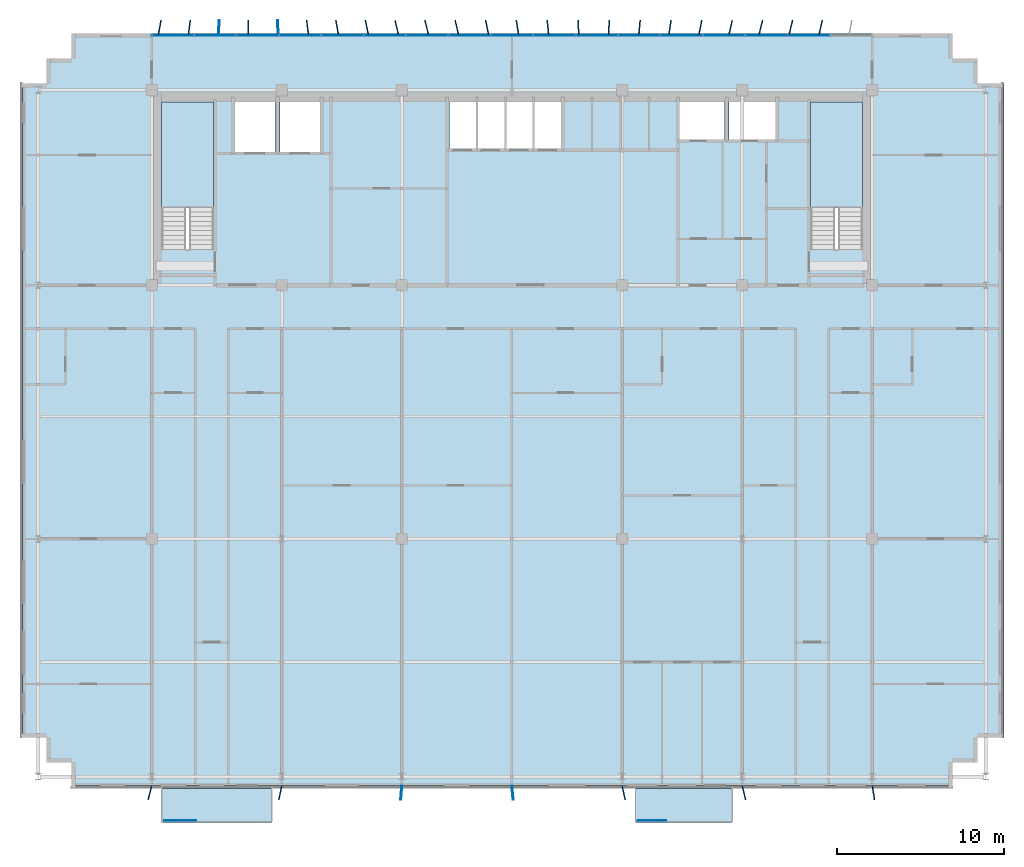
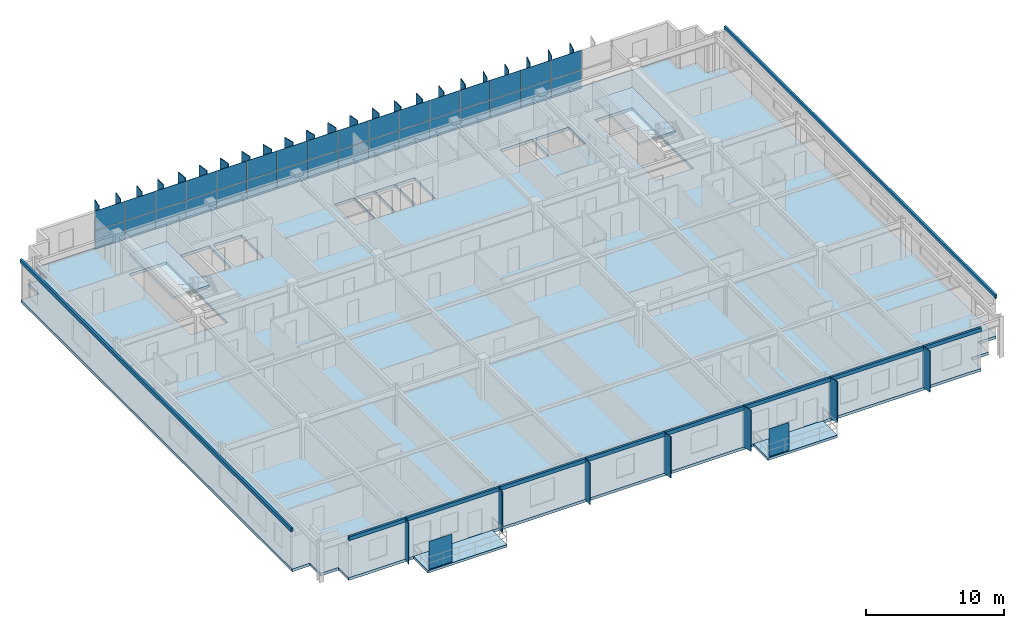
# One storey, part 13 of 20: 67 plates, 5 slabs, 3 elements without a shape of their own.
"""IFC4 building model written with IfcOpenShell, lengths in metres."""

from ifc_helpers import new_model, si_unit, direction, frame, origin, origin_2d, place, context, subcontext, project, spatial, polyline, rectangle, outline, extrude, source, transform, mapped, material, layer, layer_set, type_object, element, aggregate, save


model = new_model("IFC4")

# Units and contexts
model_context = context("Model", 3, precision=1e-05, world=origin(), true_north=direction((0.0, 1.0)))
body_context = subcontext(model_context, "Body", "Model", "MODEL_VIEW")
ifc_project = project(units=[si_unit("LENGTHUNIT", "METRE"), si_unit("AREAUNIT", "SQUARE_METRE"), si_unit("VOLUMEUNIT", "CUBIC_METRE"), si_unit("PLANEANGLEUNIT", "RADIAN"), si_unit("MASSUNIT", "GRAM", prefix="KILO")], contexts=[model_context])

# Site, building, storey
site_placement = place(None, origin())
site = spatial("IfcSite", under=ifc_project, at=site_placement, CompositionType="ELEMENT")
building_placement = place(site_placement, origin())
building = spatial("IfcBuilding", under=site, at=building_placement, Name="Trelvane Seafront Commons", CompositionType="ELEMENT")
storey_placement = place(building_placement, frame((0.0, 0.0, 168.10009765625)))
storey = spatial("IfcBuildingStorey", under=building, at=storey_placement, Name="L44", CompositionType="ELEMENT", Elevation=168.10009765625)

# Slabs
ifc_material_1 = material(Name="Concrete C40/50", Category="concrete")
ifc_layer_1 = layer(ifc_material_1, 0.219970703125, Name="ARCH-BALC-220")
ifc_layer_set_1 = layer_set([ifc_layer_1], Name="Concrete C40/50")
slab_type_1 = type_object("IfcSlabType", Name="ARCH-BALC-220", PredefinedType="FLOOR", material=ifc_layer_set_1)
slab_1_placement = place(storey_placement, frame((0.0, 0.0, -0.22021484375)))
element("IfcSlab", 1, at=slab_1_placement, inside=storey, type_object=slab_type_1, Name="L44 Cantilevered Tree Balcony Loggia 1", PredefinedType="FLOOR", context=body_context, shape_type="SweptSolid", body=[
    extrude(outline(polyline([(16.199951171875, 1.199951171875), (22.800048828125, 1.199951171875), (22.800048828125, 3.300048828125), (16.199951171875, 3.300048828125), (16.199951171875, 1.199951171875)])), origin(), (0.0, 0.0, 1.0), 0.22021484375),
])
slab_2_placement = place(storey_placement, frame((0.0, 0.0, -0.22021484375)))
element("IfcSlab", 2, at=slab_2_placement, inside=storey, type_object=slab_type_1, Name="L44 Cantilevered Tree Balcony Loggia 2", PredefinedType="FLOOR", context=body_context, shape_type="SweptSolid", body=[
    extrude(outline(polyline([(44.60009765625, 1.199951171875), (50.39990234375, 1.199951171875), (50.39990234375, 3.300048828125), (44.60009765625, 3.300048828125), (44.60009765625, 1.199951171875)])), origin(), (0.0, 0.0, 1.0), 0.22021484375),
])

# Stair, slab
stair_type_1 = type_object("IfcStairType", Name="ARCH-STR-ST-1-R20-180", PredefinedType="HALF_TURN_STAIR", material=ifc_material_1)
stair_1_placement = place(storey_placement, origin())
stair_1 = element("IfcStair", 3, at=stair_1_placement, inside=storey, type_object=stair_type_1, Name="L44 West Protected Firefighting Exit Stair ST-1", PredefinedType="HALF_TURN_STAIR")
ifc_layer_2 = layer(ifc_material_1, 0.199951171875, Name="ARCH-LND-200")
ifc_layer_set_2 = layer_set([ifc_layer_2], Name="Concrete C40/50")
slab_type_2 = type_object("IfcSlabType", Name="ARCH-LND-200", PredefinedType="LANDING", material=ifc_layer_set_2)
slab_3_placement = place(storey_placement, frame((0.0, 0.0, 1.599853515625)))
slab_3 = element("IfcSlab", 4, at=slab_3_placement, type_object=slab_type_2, Name="ST-1 landing 1", PredefinedType="LANDING", context=body_context, shape_type="SweptSolid", body=[
    extrude(outline(polyline([(19.300048828125, 38.070068359375), (19.300048828125, 44.39990234375), (16.199951171875, 44.39990234375), (16.199951171875, 38.070068359375), (19.300048828125, 38.070068359375)])), origin(), (0.0, 0.0, 1.0), 0.199951171875),
])
aggregate(stair_1, [slab_3])

stair_type_2 = type_object("IfcStairType", Name="ARCH-STR-ST-2-R20-180", PredefinedType="HALF_TURN_STAIR", material=ifc_material_1)
stair_2_placement = place(storey_placement, origin())
stair_2 = element("IfcStair", 5, at=stair_2_placement, inside=storey, type_object=stair_type_2, Name="L44 East Protected Firefighting Exit Stair ST-2", PredefinedType="HALF_TURN_STAIR")
slab_4_placement = place(storey_placement, frame((0.0, 0.0, 1.599853515625)))
slab_4 = element("IfcSlab", 6, at=slab_4_placement, type_object=slab_type_2, Name="ST-2 landing 1", PredefinedType="LANDING", context=body_context, shape_type="SweptSolid", body=[
    extrude(outline(polyline([(58.199951171875, 38.070068359375), (58.199951171875, 44.39990234375), (55.10009765625, 44.39990234375), (55.10009765625, 38.070068359375), (58.199951171875, 38.070068359375)])), origin(), (0.0, 0.0, 1.0), 0.199951171875),
])
aggregate(stair_2, [slab_4])

# Slab
ifc_material_2 = material(Name="Concrete C50/60", Category="concrete")
ifc_layer_3 = layer(ifc_material_2, 0.25, Name="STR-SLB-Z3-250")
ifc_layer_set_3 = layer_set([ifc_layer_3], Name="Concrete C50/60")
slab_type_3 = type_object("IfcSlabType", Name="STR-SLB-Z3-250", PredefinedType="FLOOR", material=ifc_layer_set_3)
slab_5_placement = place(storey_placement, frame((0.0, 0.0, -0.25)))
element("IfcSlab", 7, at=slab_5_placement, inside=storey, type_object=slab_type_3, Name="L44 Structural Floor Slab", PredefinedType="FLOOR", context=body_context, shape_type="SweptSolid", body=[
    extrude(outline(polyline([(10.800048828125, 3.300048828125), (63.60009765625, 3.300048828125), (63.60009765625, 4.800048828125), (65.10009765625, 4.800048828125), (65.10009765625, 6.300048828125), (66.60009765625, 6.300048828125), (66.60009765625, 45.5), (65.10009765625, 45.5), (65.10009765625, 47.0), (63.60009765625, 47.0), (63.60009765625, 48.5), (10.800048828125, 48.5), (10.800048828125, 47.0), (9.300048828125, 47.0), (9.300048828125, 45.5), (7.800048828125, 45.5), (7.800048828125, 6.300048828125), (9.300048828125, 6.300048828125), (9.300048828125, 4.800048828125), (10.800048828125, 4.800048828125), (10.800048828125, 3.300048828125)]), holes=[polyline([(19.300048828125, 35.550048828125), (16.199951171875, 35.550048828125), (16.199951171875, 44.39990234375), (19.300048828125, 44.39990234375), (19.300048828125, 35.550048828125)]), polyline([(58.199951171875, 35.550048828125), (55.10009765625, 35.550048828125), (55.10009765625, 44.39990234375), (58.199951171875, 44.39990234375), (58.199951171875, 35.550048828125)]), polyline([(23.0, 41.39990234375), (20.60009765625, 41.39990234375), (20.60009765625, 44.60009765625), (23.0, 44.60009765625), (23.0, 41.39990234375)]), polyline([(23.300048828125, 41.39990234375), (23.300048828125, 44.60009765625), (25.699951171875, 44.60009765625), (25.699951171875, 41.39990234375), (23.300048828125, 41.39990234375)]), polyline([(33.449951171875, 41.60009765625), (33.449951171875, 44.60009765625), (35.070068359375, 44.60009765625), (35.070068359375, 41.60009765625), (33.449951171875, 41.60009765625)]), polyline([(36.77001953125, 41.60009765625), (35.14990234375, 41.60009765625), (35.14990234375, 44.60009765625), (36.77001953125, 44.60009765625), (36.77001953125, 41.60009765625)]), polyline([(38.469970703125, 41.60009765625), (36.85009765625, 41.60009765625), (36.85009765625, 44.60009765625), (38.469970703125, 44.60009765625), (38.469970703125, 41.60009765625)]), polyline([(40.169921875, 41.60009765625), (38.550048828125, 41.60009765625), (38.550048828125, 44.60009765625), (40.169921875, 44.60009765625), (40.169921875, 41.60009765625)]), polyline([(47.25, 42.14990234375), (47.25, 44.550048828125), (49.949951171875, 44.550048828125), (49.949951171875, 42.14990234375), (47.25, 42.14990234375)]), polyline([(50.199951171875, 42.14990234375), (50.199951171875, 44.550048828125), (53.0, 44.550048828125), (53.0, 42.14990234375), (50.199951171875, 42.14990234375)])]), origin(), (0.0, 0.0, 1.0), 0.25),
])

# Plates
ifc_material_3 = material(Name="Perforated anodised aluminium screen", Category="aluminium")
ifc_layer_4 = layer(ifc_material_3, 0.01611328125, Name="ARCH-PLATE-SCREEN")
ifc_layer_set_4 = layer_set([ifc_layer_4], Name="Perforated anodised aluminium screen")
plate_type_1 = type_object("IfcPlateType", Name="ARCH-PLATE-SCREEN", PredefinedType="USERDEFINED", material=ifc_layer_set_4)
shared_shape_1 = source(origin(), body_context, "Body", "SweptSolid", [
    extrude(rectangle(XDim=1.9140625, YDim=0.01611328125, at=origin_2d()), origin(), (0.0, 0.0, 1.0), 2.449951171875),
])
plate_1_placement = place(storey_placement, frame((17.306884765625, 1.320068359375, 0.0), z_axis=(0.0, 0.0, 1.0), x_axis=(1.0, 0.0, 0.0)))
element("IfcPlate", 8, at=plate_1_placement, inside=storey, type_object=plate_type_1, Name="SCR-L44-00160", ObjectType="SCREEN", PredefinedType="USERDEFINED", context=body_context, shape_type="MappedRepresentation", body=[
    mapped(shared_shape_1, transform((0.0, 0.0, 0.0), x_axis=(1.0, 0.0, 0.0), y_axis=(0.0, 1.0, 0.0), z_axis=(0.0, 0.0, 1.0), scale=1.0)),
])
shared_shape_2 = source(origin(), body_context, "Body", "SweptSolid", [
    extrude(rectangle(XDim=1.681884765625, YDim=0.01611328125, at=origin_2d()), origin(), (0.0, 0.0, 1.0), 2.449951171875),
])
plate_2_placement = place(storey_placement, frame((45.591064453125, 1.320068359375, 0.0), z_axis=(0.0, 0.0, 1.0), x_axis=(1.0, 0.0, 0.0)))
element("IfcPlate", 9, at=plate_2_placement, inside=storey, type_object=plate_type_1, Name="SCR-L44-00161", ObjectType="SCREEN", PredefinedType="USERDEFINED", context=body_context, shape_type="MappedRepresentation", body=[
    mapped(shared_shape_2, transform((0.0, 0.0, 0.0), x_axis=(1.0, 0.0, 0.0), y_axis=(0.0, 1.0, 0.0), z_axis=(0.0, 0.0, 1.0), scale=1.0)),
])
ifc_material_4 = material(Name="Anodised pale-silver aluminium", Category="aluminium")
ifc_layer_5 = layer(ifc_material_4, 0.06005859375, Name="ARCH-PLATE-FIN900")
ifc_layer_set_5 = layer_set([ifc_layer_5], Name="Anodised pale-silver aluminium")
plate_type_2 = type_object("IfcPlateType", Name="ARCH-PLATE-FIN900", PredefinedType="USERDEFINED", material=ifc_layer_set_5)
shared_shape_3 = source(origin(), body_context, "Body", "SweptSolid", [
    extrude(rectangle(XDim=0.89990234375, YDim=0.06005859375, at=origin_2d()), origin(), (0.0, 0.0, 1.0), 3.639892578125),
])
for number, where, z_axis, x_axis, name in (
    (10, (16.081787109375, 48.842529296875, -0.02001953125), (0.0, 0.0, 1.0), (0.181670897411, 0.983359387525, 0.0), "FIN-L44-01216"),
    (11, (17.859375, 48.845947265625, -0.02001953125), (0.0, 0.0, 1.0), (0.131785816058, 0.991278214572, 0.0), "FIN-L44-01217"),
    (12, (19.63232421875, 48.848876953125, -0.02001953125), (0.0, 0.0, 1.0), (0.071775979553, 0.997420778187, 0.0), "FIN-L44-01218"),
    (13, (21.402587890625, 48.85009765625, -0.02001953125), (0.0, 0.0, 1.0), (0.006110359687, 0.999981331578, 0.0), "FIN-L44-01219"),
    (14, (23.173095703125, 48.84912109375, -0.02001953125), (0.0, 0.0, 1.0), (-0.059888277362, 0.99820508626, 0.0), "FIN-L44-01220"),
    (15, (24.9453125, 48.8466796875, -0.02001953125), (0.0, 0.0, 1.0), (-0.121340968614, 0.992610885159, 0.0), "FIN-L44-01221"),
    (16, (26.721923828125, 48.84326171875, -0.02001953125), (0.0, 0.0, 1.0), (-0.173436759572, 0.984845008328, 0.0), "FIN-L44-01222"),
    (17, (28.50439453125, 48.839599609375, -0.02001953125), (0.0, 0.0, 1.0), (-0.212433503388, 0.977175524989, 0.0), "FIN-L44-01223"),
    (18, (30.2939453125, 48.83740234375, -0.02001953125), (0.0, 0.0, 1.0), (-0.235654390789, 0.971836924644, 0.0), "FIN-L44-01224"),
    (19, (32.09130859375, 48.836669921875, -0.02001953125), (0.0, 0.0, 1.0), (-0.24167294527, 0.970357762645, 0.0), "FIN-L44-01225"),
    (20, (33.896484375, 48.837890625, -0.02001953125), (0.0, 0.0, 1.0), (-0.230122772795, 0.973161604997, 0.0), "FIN-L44-01226"),
    (21, (35.709228515625, 48.8408203125, -0.02001953125), (0.0, 0.0, 1.0), (-0.201669434189, 0.97945364327, 0.0), "FIN-L44-01227"),
    (22, (37.52880859375, 48.84423828125, -0.02001953125), (0.0, 0.0, 1.0), (-0.158216661291, 0.987404419724, 0.0), "FIN-L44-01228"),
    (23, (39.353759765625, 48.84765625, -0.02001953125), (0.0, 0.0, 1.0), (-0.102782120278, 0.994703893504, 0.0), "FIN-L44-01229"),
    (24, (41.182373046875, 48.849609375, -0.02001953125), (0.0, 0.0, 1.0), (-0.039333062968, 0.999226155661, 0.0), "FIN-L44-01230"),
    (25, (43.01220703125, 48.849853515625, -0.02001953125), (0.0, 0.0, 1.0), (0.027110367937, 0.999632446427, 0.0), "FIN-L44-01231"),
    (26, (44.84130859375, 48.84814453125, -0.02001953125), (0.0, 0.0, 1.0), (0.09155723476, 0.995799815607, 0.0), "FIN-L44-01232"),
    (27, (46.6669921875, 48.844970703125, -0.02001953125), (0.0, 0.0, 1.0), (0.148774263128, 0.988871184043, 0.0), "FIN-L44-01233"),
    (28, (48.48779296875, 48.84130859375, -0.02001953125), (0.0, 0.0, 1.0), (0.194770206295, 0.980848901075, 0.0), "FIN-L44-01234"),
    (29, (50.3017578125, 48.83837890625, -0.02001953125), (0.0, 0.0, 1.0), (0.226109001446, 0.974102006704, 0.0), "FIN-L44-01235"),
    (30, (52.1083984375, 48.836669921875, -0.02001953125), (0.0, 0.0, 1.0), (0.240888732524, 0.970552738672, 0.0), "FIN-L44-01236"),
    (31, (53.9072265625, 48.8369140625, -0.02001953125), (0.0, 0.0, 1.0), (0.238114783007, 0.971237020564, 0.0), "FIN-L44-01237"),
    (32, (55.697998046875, 48.839111328125, -0.02001953125), (0.0, 0.0, 1.0), (0.217989942059, 0.975951015759, 0.0), "FIN-L44-01238"),
):
    element("IfcPlate", number, at=place(storey_placement, frame(where, z_axis=z_axis, x_axis=x_axis)), inside=storey, type_object=plate_type_2, Name=name, ObjectType="FIN", PredefinedType="USERDEFINED", context=body_context, shape_type="MappedRepresentation", body=[
        mapped(shared_shape_3, transform((0.0, 0.0, 0.0), x_axis=(1.0, 0.0, 0.0), y_axis=(0.0, 1.0, 0.0), z_axis=(0.0, 0.0, 1.0), scale=1.0)),
    ])
shared_shape_4 = source(origin(), body_context, "Body", "SweptSolid", [
    extrude(rectangle(XDim=0.85009765625, YDim=0.06005859375, at=origin_2d()), origin(), (0.0, 0.0, 1.0), 3.639892578125),
])
for number, where, z_axis, x_axis, name in (
    (33, (15.498291015625, 2.9873046875, -0.02001953125), (0.0, 0.0, 1.0), (-0.239406259872, -0.970919483137, 0.0), "FIN-S-L44-01240"),
    (34, (23.3125, 2.984130859375, -0.02001953125), (0.0, 0.0, 1.0), (-0.206129040693, -0.978524817561, 0.0), "FIN-S-L44-01241"),
    (35, (30.56787109375, 2.976318359375, -0.02001953125), (0.0, 0.0, 1.0), (-0.07576015068, -0.997126070048, 0.0), "FIN-S-L44-01242"),
    (36, (37.239013671875, 2.976806640625, -0.02001953125), (0.0, 0.0, 1.0), (0.091532902753, -0.995802052475, 0.0), "FIN-S-L44-01243"),
    (37, (43.89111328125, 2.98486328125, -0.02001953125), (0.0, 0.0, 1.0), (0.214363705629, -0.976753910516, 0.0), "FIN-S-L44-01244"),
    (38, (51.1005859375, 2.987060546875, -0.02001953125), (0.0, 0.0, 1.0), (0.236468472196, -0.97163916227, 0.0), "FIN-S-L44-01245"),
    (39, (58.86328125, 2.979736328125, -0.02001953125), (0.0, 0.0, 1.0), (0.148713856147, -0.988880270301, 0.0), "FIN-S-L44-01246"),
):
    element("IfcPlate", number, at=place(storey_placement, frame(where, z_axis=z_axis, x_axis=x_axis)), inside=storey, type_object=plate_type_2, Name=name, ObjectType="FIN", PredefinedType="USERDEFINED", context=body_context, shape_type="MappedRepresentation", body=[
        mapped(shared_shape_4, transform((0.0, 0.0, 0.0), x_axis=(1.0, 0.0, 0.0), y_axis=(0.0, 1.0, 0.0), z_axis=(0.0, 0.0, 1.0), scale=1.0)),
    ])

# Curtain wall, plates
curtain_wall_type = type_object("IfcCurtainWallType", Name="ARCH-CW5-UPTOWER", PredefinedType="NOTDEFINED", material=ifc_material_4)
curtain_wall_placement = place(storey_placement, origin())
curtain_wall = element("IfcCurtainWall", 40, at=curtain_wall_placement, inside=storey, type_object=curtain_wall_type, Name="CW-L44-0071", PredefinedType="NOTDEFINED")
ifc_material_5 = material(Name="Low-E coastal double glazing", Category="glass")
ifc_layer_6 = layer(ifc_material_5, 0.033935546875, Name="ARCH-CW-GLAZ-34")
ifc_layer_set_6 = layer_set([ifc_layer_6], Name="Low-E coastal double glazing")
plate_type_3 = type_object("IfcPlateType", Name="ARCH-CW-GLAZ-34", PredefinedType="CURTAIN_PANEL", material=ifc_layer_set_6)
shared_shape_5 = source(origin(), body_context, "Body", "SweptSolid", [
    extrude(rectangle(XDim=2.51708984375, YDim=0.033935546875, at=origin_2d()), origin(), (0.0, 0.0, 1.0), 1.590087890625),
])
plate_3_placement = place(storey_placement, frame((16.87060546875, 48.3701171875, 0.0), z_axis=(0.0, 0.0, 1.0), x_axis=(1.0, 0.0, 0.0)))
plate_3 = element("IfcPlate", 41, at=plate_3_placement, type_object=plate_type_3, Name="CW-L44-0071-P00-1", PredefinedType="CURTAIN_PANEL", context=body_context, shape_type="MappedRepresentation", body=[
    mapped(shared_shape_5, transform((0.0, 0.0, 0.0), x_axis=(1.0, 0.0, 0.0), y_axis=(0.0, 1.0, 0.0), z_axis=(0.0, 0.0, 1.0), scale=1.0)),
])
plate_4_placement = place(storey_placement, frame((19.411865234375, 48.3701171875, 0.0), z_axis=(0.0, 0.0, 1.0), x_axis=(1.0, 0.0, 0.0)))
plate_4 = element("IfcPlate", 42, at=plate_4_placement, type_object=plate_type_3, Name="CW-L44-0071-P01-1", PredefinedType="CURTAIN_PANEL", context=body_context, shape_type="MappedRepresentation", body=[
    mapped(shared_shape_5, transform((0.0, 0.0, 0.0), x_axis=(1.0, 0.0, 0.0), y_axis=(0.0, 1.0, 0.0), z_axis=(0.0, 0.0, 1.0), scale=1.0)),
])
plate_5_placement = place(storey_placement, frame((21.952880859375, 48.3701171875, 0.0), z_axis=(0.0, 0.0, 1.0), x_axis=(1.0, 0.0, 0.0)))
plate_5 = element("IfcPlate", 43, at=plate_5_placement, type_object=plate_type_3, Name="CW-L44-0071-P02-1", PredefinedType="CURTAIN_PANEL", context=body_context, shape_type="MappedRepresentation", body=[
    mapped(shared_shape_5, transform((0.0, 0.0, 0.0), x_axis=(1.0, 0.0, 0.0), y_axis=(0.0, 1.0, 0.0), z_axis=(0.0, 0.0, 1.0), scale=1.0)),
])
plate_6_placement = place(storey_placement, frame((24.494140625, 48.3701171875, 0.0), z_axis=(0.0, 0.0, 1.0), x_axis=(1.0, 0.0, 0.0)))
plate_6 = element("IfcPlate", 44, at=plate_6_placement, type_object=plate_type_3, Name="CW-L44-0071-P03-1", PredefinedType="CURTAIN_PANEL", context=body_context, shape_type="MappedRepresentation", body=[
    mapped(shared_shape_5, transform((0.0, 0.0, 0.0), x_axis=(1.0, 0.0, 0.0), y_axis=(0.0, 1.0, 0.0), z_axis=(0.0, 0.0, 1.0), scale=1.0)),
])
plate_7_placement = place(storey_placement, frame((27.035400390625, 48.3701171875, 0.0), z_axis=(0.0, 0.0, 1.0), x_axis=(1.0, 0.0, 0.0)))
plate_7 = element("IfcPlate", 45, at=plate_7_placement, type_object=plate_type_3, Name="CW-L44-0071-P04-1", PredefinedType="CURTAIN_PANEL", context=body_context, shape_type="MappedRepresentation", body=[
    mapped(shared_shape_5, transform((0.0, 0.0, 0.0), x_axis=(1.0, 0.0, 0.0), y_axis=(0.0, 1.0, 0.0), z_axis=(0.0, 0.0, 1.0), scale=1.0)),
])
plate_8_placement = place(storey_placement, frame((29.576416015625, 48.3701171875, 0.0), z_axis=(0.0, 0.0, 1.0), x_axis=(1.0, 0.0, 0.0)))
plate_8 = element("IfcPlate", 46, at=plate_8_placement, type_object=plate_type_3, Name="CW-L44-0071-P05-1", PredefinedType="CURTAIN_PANEL", context=body_context, shape_type="MappedRepresentation", body=[
    mapped(shared_shape_5, transform((0.0, 0.0, 0.0), x_axis=(1.0, 0.0, 0.0), y_axis=(0.0, 1.0, 0.0), z_axis=(0.0, 0.0, 1.0), scale=1.0)),
])
plate_9_placement = place(storey_placement, frame((32.11767578125, 48.3701171875, 0.0), z_axis=(0.0, 0.0, 1.0), x_axis=(1.0, 0.0, 0.0)))
plate_9 = element("IfcPlate", 47, at=plate_9_placement, type_object=plate_type_3, Name="CW-L44-0071-P06-1", PredefinedType="CURTAIN_PANEL", context=body_context, shape_type="MappedRepresentation", body=[
    mapped(shared_shape_5, transform((0.0, 0.0, 0.0), x_axis=(1.0, 0.0, 0.0), y_axis=(0.0, 1.0, 0.0), z_axis=(0.0, 0.0, 1.0), scale=1.0)),
])
plate_10_placement = place(storey_placement, frame((34.65869140625, 48.3701171875, 0.0), z_axis=(0.0, 0.0, 1.0), x_axis=(1.0, 0.0, 0.0)))
plate_10 = element("IfcPlate", 48, at=plate_10_placement, type_object=plate_type_3, Name="CW-L44-0071-P07-1", PredefinedType="CURTAIN_PANEL", context=body_context, shape_type="MappedRepresentation", body=[
    mapped(shared_shape_5, transform((0.0, 0.0, 0.0), x_axis=(1.0, 0.0, 0.0), y_axis=(0.0, 1.0, 0.0), z_axis=(0.0, 0.0, 1.0), scale=1.0)),
])
plate_11_placement = place(storey_placement, frame((37.199951171875, 48.3701171875, 0.0), z_axis=(0.0, 0.0, 1.0), x_axis=(1.0, 0.0, 0.0)))
plate_11 = element("IfcPlate", 49, at=plate_11_placement, type_object=plate_type_3, Name="CW-L44-0071-P08-1", PredefinedType="CURTAIN_PANEL", context=body_context, shape_type="MappedRepresentation", body=[
    mapped(shared_shape_5, transform((0.0, 0.0, 0.0), x_axis=(1.0, 0.0, 0.0), y_axis=(0.0, 1.0, 0.0), z_axis=(0.0, 0.0, 1.0), scale=1.0)),
])
plate_12_placement = place(storey_placement, frame((39.7412109375, 48.3701171875, 0.0), z_axis=(0.0, 0.0, 1.0), x_axis=(1.0, 0.0, 0.0)))
plate_12 = element("IfcPlate", 50, at=plate_12_placement, type_object=plate_type_3, Name="CW-L44-0071-P09-1", PredefinedType="CURTAIN_PANEL", context=body_context, shape_type="MappedRepresentation", body=[
    mapped(shared_shape_5, transform((0.0, 0.0, 0.0), x_axis=(1.0, 0.0, 0.0), y_axis=(0.0, 1.0, 0.0), z_axis=(0.0, 0.0, 1.0), scale=1.0)),
])
plate_13_placement = place(storey_placement, frame((42.282470703125, 48.3701171875, 0.0), z_axis=(0.0, 0.0, 1.0), x_axis=(1.0, 0.0, 0.0)))
plate_13 = element("IfcPlate", 51, at=plate_13_placement, type_object=plate_type_3, Name="CW-L44-0071-P10-1", PredefinedType="CURTAIN_PANEL", context=body_context, shape_type="MappedRepresentation", body=[
    mapped(shared_shape_5, transform((0.0, 0.0, 0.0), x_axis=(1.0, 0.0, 0.0), y_axis=(0.0, 1.0, 0.0), z_axis=(0.0, 0.0, 1.0), scale=1.0)),
])
plate_14_placement = place(storey_placement, frame((44.823486328125, 48.3701171875, 0.0), z_axis=(0.0, 0.0, 1.0), x_axis=(1.0, 0.0, 0.0)))
plate_14 = element("IfcPlate", 52, at=plate_14_placement, type_object=plate_type_3, Name="CW-L44-0071-P11-1", PredefinedType="CURTAIN_PANEL", context=body_context, shape_type="MappedRepresentation", body=[
    mapped(shared_shape_5, transform((0.0, 0.0, 0.0), x_axis=(1.0, 0.0, 0.0), y_axis=(0.0, 1.0, 0.0), z_axis=(0.0, 0.0, 1.0), scale=1.0)),
])
plate_15_placement = place(storey_placement, frame((47.36474609375, 48.3701171875, 0.0), z_axis=(0.0, 0.0, 1.0), x_axis=(1.0, 0.0, 0.0)))
plate_15 = element("IfcPlate", 53, at=plate_15_placement, type_object=plate_type_3, Name="CW-L44-0071-P12-1", PredefinedType="CURTAIN_PANEL", context=body_context, shape_type="MappedRepresentation", body=[
    mapped(shared_shape_5, transform((0.0, 0.0, 0.0), x_axis=(1.0, 0.0, 0.0), y_axis=(0.0, 1.0, 0.0), z_axis=(0.0, 0.0, 1.0), scale=1.0)),
])
plate_16_placement = place(storey_placement, frame((49.906005859375, 48.3701171875, 0.0), z_axis=(0.0, 0.0, 1.0), x_axis=(1.0, 0.0, 0.0)))
plate_16 = element("IfcPlate", 54, at=plate_16_placement, type_object=plate_type_3, Name="CW-L44-0071-P13-1", PredefinedType="CURTAIN_PANEL", context=body_context, shape_type="MappedRepresentation", body=[
    mapped(shared_shape_5, transform((0.0, 0.0, 0.0), x_axis=(1.0, 0.0, 0.0), y_axis=(0.0, 1.0, 0.0), z_axis=(0.0, 0.0, 1.0), scale=1.0)),
])
plate_17_placement = place(storey_placement, frame((52.447021484375, 48.3701171875, 0.0), z_axis=(0.0, 0.0, 1.0), x_axis=(1.0, 0.0, 0.0)))
plate_17 = element("IfcPlate", 55, at=plate_17_placement, type_object=plate_type_3, Name="CW-L44-0071-P14-1", PredefinedType="CURTAIN_PANEL", context=body_context, shape_type="MappedRepresentation", body=[
    mapped(shared_shape_5, transform((0.0, 0.0, 0.0), x_axis=(1.0, 0.0, 0.0), y_axis=(0.0, 1.0, 0.0), z_axis=(0.0, 0.0, 1.0), scale=1.0)),
])
plate_18_placement = place(storey_placement, frame((54.98828125, 48.3701171875, 0.0), z_axis=(0.0, 0.0, 1.0), x_axis=(1.0, 0.0, 0.0)))
plate_18 = element("IfcPlate", 56, at=plate_18_placement, type_object=plate_type_3, Name="CW-L44-0071-P15-1", PredefinedType="CURTAIN_PANEL", context=body_context, shape_type="MappedRepresentation", body=[
    mapped(shared_shape_5, transform((0.0, 0.0, 0.0), x_axis=(1.0, 0.0, 0.0), y_axis=(0.0, 1.0, 0.0), z_axis=(0.0, 0.0, 1.0), scale=1.0)),
])
shared_shape_6 = source(origin(), body_context, "Body", "SweptSolid", [
    extrude(rectangle(XDim=2.51708984375, YDim=0.033935546875, at=origin_2d()), origin(), (0.0, 0.0, 1.0), 1.72412109375),
])
plate_19_placement = place(storey_placement, frame((16.87060546875, 48.3701171875, 1.625732421875), z_axis=(0.0, 0.0, 1.0), x_axis=(1.0, 0.0, 0.0)))
plate_19 = element("IfcPlate", 57, at=plate_19_placement, type_object=plate_type_3, Name="CW-L44-0071-P00-2", PredefinedType="CURTAIN_PANEL", context=body_context, shape_type="MappedRepresentation", body=[
    mapped(shared_shape_6, transform((0.0, 0.0, 0.0), x_axis=(1.0, 0.0, 0.0), y_axis=(0.0, 1.0, 0.0), z_axis=(0.0, 0.0, 1.0), scale=1.0)),
])
plate_20_placement = place(storey_placement, frame((19.411865234375, 48.3701171875, 1.625732421875), z_axis=(0.0, 0.0, 1.0), x_axis=(1.0, 0.0, 0.0)))
plate_20 = element("IfcPlate", 58, at=plate_20_placement, type_object=plate_type_3, Name="CW-L44-0071-P01-2", PredefinedType="CURTAIN_PANEL", context=body_context, shape_type="MappedRepresentation", body=[
    mapped(shared_shape_6, transform((0.0, 0.0, 0.0), x_axis=(1.0, 0.0, 0.0), y_axis=(0.0, 1.0, 0.0), z_axis=(0.0, 0.0, 1.0), scale=1.0)),
])
plate_21_placement = place(storey_placement, frame((21.952880859375, 48.3701171875, 1.625732421875), z_axis=(0.0, 0.0, 1.0), x_axis=(1.0, 0.0, 0.0)))
plate_21 = element("IfcPlate", 59, at=plate_21_placement, type_object=plate_type_3, Name="CW-L44-0071-P02-2", PredefinedType="CURTAIN_PANEL", context=body_context, shape_type="MappedRepresentation", body=[
    mapped(shared_shape_6, transform((0.0, 0.0, 0.0), x_axis=(1.0, 0.0, 0.0), y_axis=(0.0, 1.0, 0.0), z_axis=(0.0, 0.0, 1.0), scale=1.0)),
])
plate_22_placement = place(storey_placement, frame((24.494140625, 48.3701171875, 1.625732421875), z_axis=(0.0, 0.0, 1.0), x_axis=(1.0, 0.0, 0.0)))
plate_22 = element("IfcPlate", 60, at=plate_22_placement, type_object=plate_type_3, Name="CW-L44-0071-P03-2", PredefinedType="CURTAIN_PANEL", context=body_context, shape_type="MappedRepresentation", body=[
    mapped(shared_shape_6, transform((0.0, 0.0, 0.0), x_axis=(1.0, 0.0, 0.0), y_axis=(0.0, 1.0, 0.0), z_axis=(0.0, 0.0, 1.0), scale=1.0)),
])
plate_23_placement = place(storey_placement, frame((27.035400390625, 48.3701171875, 1.625732421875), z_axis=(0.0, 0.0, 1.0), x_axis=(1.0, 0.0, 0.0)))
plate_23 = element("IfcPlate", 61, at=plate_23_placement, type_object=plate_type_3, Name="CW-L44-0071-P04-2", PredefinedType="CURTAIN_PANEL", context=body_context, shape_type="MappedRepresentation", body=[
    mapped(shared_shape_6, transform((0.0, 0.0, 0.0), x_axis=(1.0, 0.0, 0.0), y_axis=(0.0, 1.0, 0.0), z_axis=(0.0, 0.0, 1.0), scale=1.0)),
])
plate_24_placement = place(storey_placement, frame((29.576416015625, 48.3701171875, 1.625732421875), z_axis=(0.0, 0.0, 1.0), x_axis=(1.0, 0.0, 0.0)))
plate_24 = element("IfcPlate", 62, at=plate_24_placement, type_object=plate_type_3, Name="CW-L44-0071-P05-2", PredefinedType="CURTAIN_PANEL", context=body_context, shape_type="MappedRepresentation", body=[
    mapped(shared_shape_6, transform((0.0, 0.0, 0.0), x_axis=(1.0, 0.0, 0.0), y_axis=(0.0, 1.0, 0.0), z_axis=(0.0, 0.0, 1.0), scale=1.0)),
])
plate_25_placement = place(storey_placement, frame((32.11767578125, 48.3701171875, 1.625732421875), z_axis=(0.0, 0.0, 1.0), x_axis=(1.0, 0.0, 0.0)))
plate_25 = element("IfcPlate", 63, at=plate_25_placement, type_object=plate_type_3, Name="CW-L44-0071-P06-2", PredefinedType="CURTAIN_PANEL", context=body_context, shape_type="MappedRepresentation", body=[
    mapped(shared_shape_6, transform((0.0, 0.0, 0.0), x_axis=(1.0, 0.0, 0.0), y_axis=(0.0, 1.0, 0.0), z_axis=(0.0, 0.0, 1.0), scale=1.0)),
])
plate_26_placement = place(storey_placement, frame((34.65869140625, 48.3701171875, 1.625732421875), z_axis=(0.0, 0.0, 1.0), x_axis=(1.0, 0.0, 0.0)))
plate_26 = element("IfcPlate", 64, at=plate_26_placement, type_object=plate_type_3, Name="CW-L44-0071-P07-2", PredefinedType="CURTAIN_PANEL", context=body_context, shape_type="MappedRepresentation", body=[
    mapped(shared_shape_6, transform((0.0, 0.0, 0.0), x_axis=(1.0, 0.0, 0.0), y_axis=(0.0, 1.0, 0.0), z_axis=(0.0, 0.0, 1.0), scale=1.0)),
])
plate_27_placement = place(storey_placement, frame((37.199951171875, 48.3701171875, 1.625732421875), z_axis=(0.0, 0.0, 1.0), x_axis=(1.0, 0.0, 0.0)))
plate_27 = element("IfcPlate", 65, at=plate_27_placement, type_object=plate_type_3, Name="CW-L44-0071-P08-2", PredefinedType="CURTAIN_PANEL", context=body_context, shape_type="MappedRepresentation", body=[
    mapped(shared_shape_6, transform((0.0, 0.0, 0.0), x_axis=(1.0, 0.0, 0.0), y_axis=(0.0, 1.0, 0.0), z_axis=(0.0, 0.0, 1.0), scale=1.0)),
])
plate_28_placement = place(storey_placement, frame((39.7412109375, 48.3701171875, 1.625732421875), z_axis=(0.0, 0.0, 1.0), x_axis=(1.0, 0.0, 0.0)))
plate_28 = element("IfcPlate", 66, at=plate_28_placement, type_object=plate_type_3, Name="CW-L44-0071-P09-2", PredefinedType="CURTAIN_PANEL", context=body_context, shape_type="MappedRepresentation", body=[
    mapped(shared_shape_6, transform((0.0, 0.0, 0.0), x_axis=(1.0, 0.0, 0.0), y_axis=(0.0, 1.0, 0.0), z_axis=(0.0, 0.0, 1.0), scale=1.0)),
])
plate_29_placement = place(storey_placement, frame((42.282470703125, 48.3701171875, 1.625732421875), z_axis=(0.0, 0.0, 1.0), x_axis=(1.0, 0.0, 0.0)))
plate_29 = element("IfcPlate", 67, at=plate_29_placement, type_object=plate_type_3, Name="CW-L44-0071-P10-2", PredefinedType="CURTAIN_PANEL", context=body_context, shape_type="MappedRepresentation", body=[
    mapped(shared_shape_6, transform((0.0, 0.0, 0.0), x_axis=(1.0, 0.0, 0.0), y_axis=(0.0, 1.0, 0.0), z_axis=(0.0, 0.0, 1.0), scale=1.0)),
])
plate_30_placement = place(storey_placement, frame((44.823486328125, 48.3701171875, 1.625732421875), z_axis=(0.0, 0.0, 1.0), x_axis=(1.0, 0.0, 0.0)))
plate_30 = element("IfcPlate", 68, at=plate_30_placement, type_object=plate_type_3, Name="CW-L44-0071-P11-2", PredefinedType="CURTAIN_PANEL", context=body_context, shape_type="MappedRepresentation", body=[
    mapped(shared_shape_6, transform((0.0, 0.0, 0.0), x_axis=(1.0, 0.0, 0.0), y_axis=(0.0, 1.0, 0.0), z_axis=(0.0, 0.0, 1.0), scale=1.0)),
])
plate_31_placement = place(storey_placement, frame((47.36474609375, 48.3701171875, 1.625732421875), z_axis=(0.0, 0.0, 1.0), x_axis=(1.0, 0.0, 0.0)))
plate_31 = element("IfcPlate", 69, at=plate_31_placement, type_object=plate_type_3, Name="CW-L44-0071-P12-2", PredefinedType="CURTAIN_PANEL", context=body_context, shape_type="MappedRepresentation", body=[
    mapped(shared_shape_6, transform((0.0, 0.0, 0.0), x_axis=(1.0, 0.0, 0.0), y_axis=(0.0, 1.0, 0.0), z_axis=(0.0, 0.0, 1.0), scale=1.0)),
])
plate_32_placement = place(storey_placement, frame((49.906005859375, 48.3701171875, 1.625732421875), z_axis=(0.0, 0.0, 1.0), x_axis=(1.0, 0.0, 0.0)))
plate_32 = element("IfcPlate", 70, at=plate_32_placement, type_object=plate_type_3, Name="CW-L44-0071-P13-2", PredefinedType="CURTAIN_PANEL", context=body_context, shape_type="MappedRepresentation", body=[
    mapped(shared_shape_6, transform((0.0, 0.0, 0.0), x_axis=(1.0, 0.0, 0.0), y_axis=(0.0, 1.0, 0.0), z_axis=(0.0, 0.0, 1.0), scale=1.0)),
])
plate_33_placement = place(storey_placement, frame((52.447021484375, 48.3701171875, 1.625732421875), z_axis=(0.0, 0.0, 1.0), x_axis=(1.0, 0.0, 0.0)))
plate_33 = element("IfcPlate", 71, at=plate_33_placement, type_object=plate_type_3, Name="CW-L44-0071-P14-2", PredefinedType="CURTAIN_PANEL", context=body_context, shape_type="MappedRepresentation", body=[
    mapped(shared_shape_6, transform((0.0, 0.0, 0.0), x_axis=(1.0, 0.0, 0.0), y_axis=(0.0, 1.0, 0.0), z_axis=(0.0, 0.0, 1.0), scale=1.0)),
])
plate_34_placement = place(storey_placement, frame((54.98828125, 48.3701171875, 1.625732421875), z_axis=(0.0, 0.0, 1.0), x_axis=(1.0, 0.0, 0.0)))
plate_34 = element("IfcPlate", 72, at=plate_34_placement, type_object=plate_type_3, Name="CW-L44-0071-P15-2", PredefinedType="CURTAIN_PANEL", context=body_context, shape_type="MappedRepresentation", body=[
    mapped(shared_shape_6, transform((0.0, 0.0, 0.0), x_axis=(1.0, 0.0, 0.0), y_axis=(0.0, 1.0, 0.0), z_axis=(0.0, 0.0, 1.0), scale=1.0)),
])
aggregate(curtain_wall, [plate_3, plate_19, plate_4, plate_20, plate_5, plate_21, plate_6, plate_22, plate_7, plate_23, plate_8, plate_24, plate_9, plate_25, plate_10, plate_26, plate_11, plate_27, plate_12, plate_28, plate_13, plate_29, plate_14, plate_30, plate_15, plate_31, plate_16, plate_32, plate_17, plate_33, plate_18, plate_34])

# Plates
ifc_layer_7 = layer(ifc_material_4, 0.179931640625, Name="ARCH-PLATE-AERO")
ifc_layer_set_7 = layer_set([ifc_layer_7], Name="Anodised pale-silver aluminium")
plate_type_4 = type_object("IfcPlateType", Name="ARCH-PLATE-AERO", PredefinedType="SHEET", material=ifc_layer_set_7)
shared_shape_7 = source(origin(), body_context, "Body", "SweptSolid", [
    extrude(rectangle(XDim=39.199951171875, YDim=0.179931640625, at=origin_2d()), origin(), (0.0, 0.0, 1.0), 0.330078125),
])
for number, where, z_axis, x_axis, name in (
    (73, (7.800048828125, 25.89990234375, 3.289794921875), (0.0, 0.0, 1.0), (0.0, 1.0, 0.0), "AER-L44-00158"),
    (74, (66.60009765625, 25.89990234375, 3.289794921875), (0.0, 0.0, 1.0), (0.0, -1.0, 0.0), "AER-L44-00159"),
):
    element("IfcPlate", number, at=place(storey_placement, frame(where, z_axis=z_axis, x_axis=x_axis)), inside=storey, type_object=plate_type_4, Name=name, PredefinedType="SHEET", context=body_context, shape_type="MappedRepresentation", body=[
        mapped(shared_shape_7, transform((0.0, 0.0, 0.0), x_axis=(1.0, 0.0, 0.0), y_axis=(0.0, 1.0, 0.0), z_axis=(0.0, 0.0, 1.0), scale=1.0)),
    ])
shared_shape_8 = source(origin(), body_context, "Body", "SweptSolid", [
    extrude(rectangle(XDim=52.800048828125, YDim=0.179931640625, at=origin_2d()), origin(), (0.0, 0.0, 1.0), 0.330078125),
])
plate_35_placement = place(storey_placement, frame((37.199951171875, 3.340087890625, 3.289794921875), z_axis=(0.0, 0.0, 1.0), x_axis=(-1.0, 0.0, 0.0)))
element("IfcPlate", 75, at=plate_35_placement, inside=storey, type_object=plate_type_4, Name="AER-S-L44-00162", PredefinedType="SHEET", context=body_context, shape_type="MappedRepresentation", body=[
    mapped(shared_shape_8, transform((0.0, 0.0, 0.0), x_axis=(1.0, 0.0, 0.0), y_axis=(0.0, 1.0, 0.0), z_axis=(0.0, 0.0, 1.0), scale=1.0)),
])

save(model, "model.ifc")
